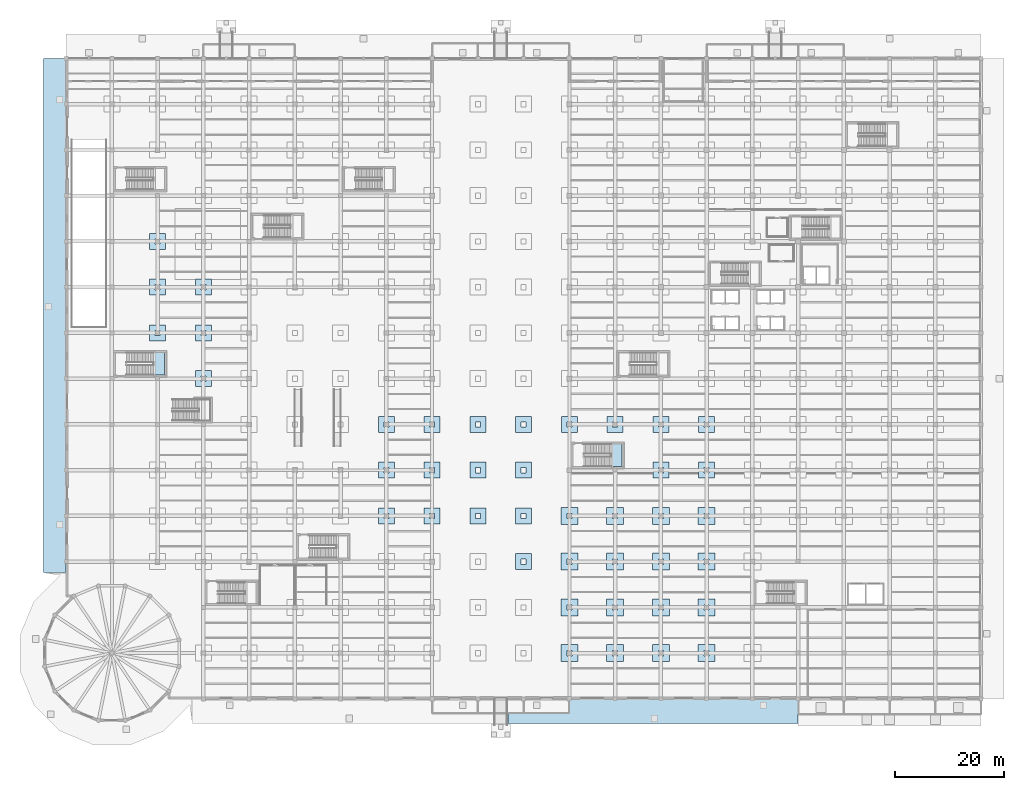
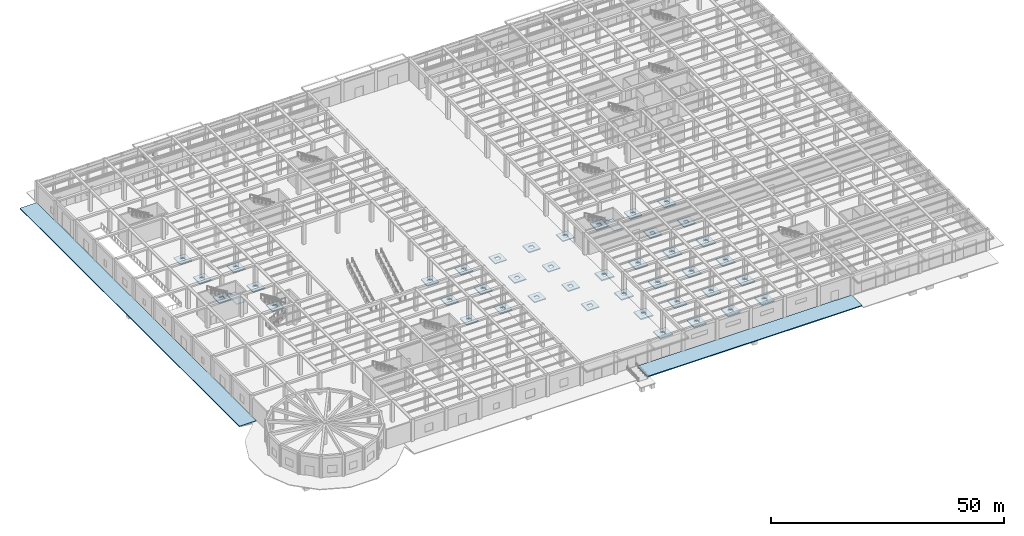
# One storey, part 17 of 43: 45 slabs, 2 elements without a shape of their own.
"""IFC4 building model written with IfcOpenShell, lengths in metres."""

from ifc_helpers import new_model, si_unit, direction, frame, origin, place, context, subcontext, project, spatial, polyline, outline, extrude, material, layer, layer_set, type_object, element, aggregate, save


model = new_model("IFC4")

# Units and contexts
model_context = context("Model", 3, precision=1e-05, world=origin(), true_north=direction((0.0, 1.0)))
body_context = subcontext(model_context, "Body", "Model", "MODEL_VIEW")
ifc_project = project(units=[si_unit("LENGTHUNIT", "METRE"), si_unit("AREAUNIT", "SQUARE_METRE"), si_unit("VOLUMEUNIT", "CUBIC_METRE"), si_unit("PLANEANGLEUNIT", "RADIAN"), si_unit("MASSUNIT", "GRAM", prefix="KILO")], contexts=[model_context])

# Site, building, storey
site_placement = place(None, origin())
site = spatial("IfcSite", under=ifc_project, at=site_placement, CompositionType="ELEMENT")
building_placement = place(site_placement, origin())
building = spatial("IfcBuilding", under=site, at=building_placement, Name="Almacenes y Pasaje Nevantli", CompositionType="ELEMENT")
storey_placement = place(building_placement, origin())
storey = spatial("IfcBuildingStorey", under=building, at=storey_placement, Name="L01", CompositionType="ELEMENT", Elevation=0.0)

# Slabs
ifc_material_1 = material(Name="Concrete C35/45", Category="concrete")
ifc_layer_1 = layer(ifc_material_1, 0.25)
ifc_layer_set_1 = layer_set([ifc_layer_1], Name="Concrete C35/45")
slab_type_1 = type_object("IfcSlabType", Name="SLB-DP-250", PredefinedType="USERDEFINED", material=ifc_layer_set_1)
slab_1_placement = place(storey_placement, frame((0.0, 0.0, -0.570068359375)))
element("IfcSlab", 1, at=slab_1_placement, inside=storey, type_object=slab_type_1, Name="L01 Punching-Shear Drop Panel DP-02 #205", ObjectType="DROP PANEL", PredefinedType="USERDEFINED", context=body_context, shape_type="SweptSolid", body=[
    extrude(outline(polyline([(15.35009765625, 65.75), (18.25, 65.75), (18.25, 68.64990234375), (15.35009765625, 68.64990234375), (15.35009765625, 65.75)]), holes=[polyline([(16.320068359375, 66.719970703125), (17.280029296875, 66.719970703125), (17.280029296875, 67.679931640625), (16.320068359375, 67.679931640625), (16.320068359375, 66.719970703125)])]), origin(), (0.0, 0.0, 1.0), 0.25),
])
slab_2_placement = place(storey_placement, frame((0.0, 0.0, -0.570068359375)))
element("IfcSlab", 2, at=slab_2_placement, inside=storey, type_object=slab_type_1, Name="L01 Punching-Shear Drop Panel DP-02 #206", ObjectType="DROP PANEL", PredefinedType="USERDEFINED", context=body_context, shape_type="SweptSolid", body=[
    extrude(outline(polyline([(15.35009765625, 74.14990234375), (18.25, 74.14990234375), (18.25, 77.050048828125), (15.35009765625, 77.050048828125), (15.35009765625, 74.14990234375)]), holes=[polyline([(16.320068359375, 75.1201171875), (17.280029296875, 75.1201171875), (17.280029296875, 76.080078125), (16.320068359375, 76.080078125), (16.320068359375, 75.1201171875)])]), origin(), (0.0, 0.0, 1.0), 0.25),
])
slab_3_placement = place(storey_placement, frame((0.0, 0.0, -0.570068359375)))
element("IfcSlab", 3, at=slab_3_placement, inside=storey, type_object=slab_type_1, Name="L01 Punching-Shear Drop Panel DP-02 #207", ObjectType="DROP PANEL", PredefinedType="USERDEFINED", context=body_context, shape_type="SweptSolid", body=[
    extrude(outline(polyline([(15.35009765625, 82.550048828125), (18.25, 82.550048828125), (18.25, 85.449951171875), (15.35009765625, 85.449951171875), (15.35009765625, 82.550048828125)]), holes=[polyline([(16.320068359375, 83.52001953125), (17.280029296875, 83.52001953125), (17.280029296875, 84.47998046875), (16.320068359375, 84.47998046875), (16.320068359375, 83.52001953125)])]), origin(), (0.0, 0.0, 1.0), 0.25),
])
slab_4_placement = place(storey_placement, frame((0.0, 0.0, -0.570068359375)))
element("IfcSlab", 4, at=slab_4_placement, inside=storey, type_object=slab_type_1, Name="L01 Punching-Shear Drop Panel DP-02 #214", ObjectType="DROP PANEL", PredefinedType="USERDEFINED", context=body_context, shape_type="SweptSolid", body=[
    extrude(outline(polyline([(23.75, 57.35009765625), (26.64990234375, 57.35009765625), (26.64990234375, 60.25), (23.75, 60.25), (23.75, 57.35009765625)]), holes=[polyline([(24.719970703125, 58.320068359375), (25.679931640625, 58.320068359375), (25.679931640625, 59.280029296875), (24.719970703125, 59.280029296875), (24.719970703125, 58.320068359375)])]), origin(), (0.0, 0.0, 1.0), 0.25),
])
slab_5_placement = place(storey_placement, frame((0.0, 0.0, -0.570068359375)))
element("IfcSlab", 5, at=slab_5_placement, inside=storey, type_object=slab_type_1, Name="L01 Punching-Shear Drop Panel DP-02 #215", ObjectType="DROP PANEL", PredefinedType="USERDEFINED", context=body_context, shape_type="SweptSolid", body=[
    extrude(outline(polyline([(23.75, 65.75), (26.64990234375, 65.75), (26.64990234375, 68.64990234375), (23.75, 68.64990234375), (23.75, 65.75)]), holes=[polyline([(24.719970703125, 66.719970703125), (25.679931640625, 66.719970703125), (25.679931640625, 67.679931640625), (24.719970703125, 67.679931640625), (24.719970703125, 66.719970703125)])]), origin(), (0.0, 0.0, 1.0), 0.25),
])
slab_6_placement = place(storey_placement, frame((0.0, 0.0, -0.570068359375)))
element("IfcSlab", 6, at=slab_6_placement, inside=storey, type_object=slab_type_1, Name="L01 Punching-Shear Drop Panel DP-02 #216", ObjectType="DROP PANEL", PredefinedType="USERDEFINED", context=body_context, shape_type="SweptSolid", body=[
    extrude(outline(polyline([(23.75, 74.14990234375), (26.64990234375, 74.14990234375), (26.64990234375, 77.050048828125), (23.75, 77.050048828125), (23.75, 74.14990234375)]), holes=[polyline([(24.719970703125, 75.1201171875), (25.679931640625, 75.1201171875), (25.679931640625, 76.080078125), (24.719970703125, 76.080078125), (24.719970703125, 75.1201171875)])]), origin(), (0.0, 0.0, 1.0), 0.25),
])
slab_7_placement = place(storey_placement, frame((0.0, 0.0, -0.570068359375)))
element("IfcSlab", 7, at=slab_7_placement, inside=storey, type_object=slab_type_1, Name="L01 Punching-Shear Drop Panel DP-02 #257", ObjectType="DROP PANEL", PredefinedType="USERDEFINED", context=body_context, shape_type="SweptSolid", body=[
    extrude(outline(polyline([(57.35009765625, 32.14990234375), (60.25, 32.14990234375), (60.25, 35.050048828125), (57.35009765625, 35.050048828125), (57.35009765625, 32.14990234375)]), holes=[polyline([(58.320068359375, 33.1201171875), (59.280029296875, 33.1201171875), (59.280029296875, 34.080078125), (58.320068359375, 34.080078125), (58.320068359375, 33.1201171875)])]), origin(), (0.0, 0.0, 1.0), 0.25),
])
slab_8_placement = place(storey_placement, frame((0.0, 0.0, -0.570068359375)))
element("IfcSlab", 8, at=slab_8_placement, inside=storey, type_object=slab_type_1, Name="L01 Punching-Shear Drop Panel DP-02 #258", ObjectType="DROP PANEL", PredefinedType="USERDEFINED", context=body_context, shape_type="SweptSolid", body=[
    extrude(outline(polyline([(57.35009765625, 40.550048828125), (60.25, 40.550048828125), (60.25, 43.449951171875), (57.35009765625, 43.449951171875), (57.35009765625, 40.550048828125)]), holes=[polyline([(58.320068359375, 41.52001953125), (59.280029296875, 41.52001953125), (59.280029296875, 42.47998046875), (58.320068359375, 42.47998046875), (58.320068359375, 41.52001953125)])]), origin(), (0.0, 0.0, 1.0), 0.25),
])
slab_9_placement = place(storey_placement, frame((0.0, 0.0, -0.570068359375)))
element("IfcSlab", 9, at=slab_9_placement, inside=storey, type_object=slab_type_1, Name="L01 Punching-Shear Drop Panel DP-02 #259", ObjectType="DROP PANEL", PredefinedType="USERDEFINED", context=body_context, shape_type="SweptSolid", body=[
    extrude(outline(polyline([(57.35009765625, 48.949951171875), (60.25, 48.949951171875), (60.25, 51.85009765625), (57.35009765625, 51.85009765625), (57.35009765625, 48.949951171875)]), holes=[polyline([(58.320068359375, 49.919921875), (59.280029296875, 49.919921875), (59.280029296875, 50.8798828125), (58.320068359375, 50.8798828125), (58.320068359375, 49.919921875)])]), origin(), (0.0, 0.0, 1.0), 0.25),
])
slab_10_placement = place(storey_placement, frame((0.0, 0.0, -0.570068359375)))
element("IfcSlab", 10, at=slab_10_placement, inside=storey, type_object=slab_type_1, Name="L01 Punching-Shear Drop Panel DP-02 #269", ObjectType="DROP PANEL", PredefinedType="USERDEFINED", context=body_context, shape_type="SweptSolid", body=[
    extrude(outline(polyline([(65.75, 32.14990234375), (68.64990234375, 32.14990234375), (68.64990234375, 35.050048828125), (65.75, 35.050048828125), (65.75, 32.14990234375)]), holes=[polyline([(66.719970703125, 33.1201171875), (67.679931640625, 33.1201171875), (67.679931640625, 34.080078125), (66.719970703125, 34.080078125), (66.719970703125, 33.1201171875)])]), origin(), (0.0, 0.0, 1.0), 0.25),
])
slab_11_placement = place(storey_placement, frame((0.0, 0.0, -0.570068359375)))
element("IfcSlab", 11, at=slab_11_placement, inside=storey, type_object=slab_type_1, Name="L01 Punching-Shear Drop Panel DP-02 #270", ObjectType="DROP PANEL", PredefinedType="USERDEFINED", context=body_context, shape_type="SweptSolid", body=[
    extrude(outline(polyline([(65.75, 40.550048828125), (68.64990234375, 40.550048828125), (68.64990234375, 43.449951171875), (65.75, 43.449951171875), (65.75, 40.550048828125)]), holes=[polyline([(66.719970703125, 41.52001953125), (67.679931640625, 41.52001953125), (67.679931640625, 42.47998046875), (66.719970703125, 42.47998046875), (66.719970703125, 41.52001953125)])]), origin(), (0.0, 0.0, 1.0), 0.25),
])
slab_12_placement = place(storey_placement, frame((0.0, 0.0, -0.570068359375)))
element("IfcSlab", 12, at=slab_12_placement, inside=storey, type_object=slab_type_1, Name="L01 Punching-Shear Drop Panel DP-02 #271", ObjectType="DROP PANEL", PredefinedType="USERDEFINED", context=body_context, shape_type="SweptSolid", body=[
    extrude(outline(polyline([(65.75, 48.949951171875), (68.64990234375, 48.949951171875), (68.64990234375, 51.85009765625), (65.75, 51.85009765625), (65.75, 48.949951171875)]), holes=[polyline([(66.719970703125, 49.919921875), (67.679931640625, 49.919921875), (67.679931640625, 50.8798828125), (66.719970703125, 50.8798828125), (66.719970703125, 49.919921875)])]), origin(), (0.0, 0.0, 1.0), 0.25),
])
slab_13_placement = place(storey_placement, frame((0.0, 0.0, -0.570068359375)))
element("IfcSlab", 13, at=slab_13_placement, inside=storey, type_object=slab_type_1, Name="L01 Punching-Shear Drop Panel DP-02 #282", ObjectType="DROP PANEL", PredefinedType="USERDEFINED", context=body_context, shape_type="SweptSolid", body=[
    extrude(outline(polyline([(74.14990234375, 32.14990234375), (77.050048828125, 32.14990234375), (77.050048828125, 35.050048828125), (74.14990234375, 35.050048828125), (74.14990234375, 32.14990234375)]), holes=[polyline([(75.1201171875, 33.1201171875), (76.080078125, 33.1201171875), (76.080078125, 34.080078125), (75.1201171875, 34.080078125), (75.1201171875, 33.1201171875)])]), origin(), (0.0, 0.0, 1.0), 0.25),
])
slab_14_placement = place(storey_placement, frame((0.0, 0.0, -0.570068359375)))
element("IfcSlab", 14, at=slab_14_placement, inside=storey, type_object=slab_type_1, Name="L01 Punching-Shear Drop Panel DP-02 #283", ObjectType="DROP PANEL", PredefinedType="USERDEFINED", context=body_context, shape_type="SweptSolid", body=[
    extrude(outline(polyline([(74.14990234375, 40.550048828125), (77.050048828125, 40.550048828125), (77.050048828125, 43.449951171875), (74.14990234375, 43.449951171875), (74.14990234375, 40.550048828125)]), holes=[polyline([(75.1201171875, 41.52001953125), (76.080078125, 41.52001953125), (76.080078125, 42.47998046875), (75.1201171875, 42.47998046875), (75.1201171875, 41.52001953125)])]), origin(), (0.0, 0.0, 1.0), 0.25),
])
slab_15_placement = place(storey_placement, frame((0.0, 0.0, -0.570068359375)))
element("IfcSlab", 15, at=slab_15_placement, inside=storey, type_object=slab_type_1, Name="L01 Punching-Shear Drop Panel DP-02 #284", ObjectType="DROP PANEL", PredefinedType="USERDEFINED", context=body_context, shape_type="SweptSolid", body=[
    extrude(outline(polyline([(74.14990234375, 48.949951171875), (77.050048828125, 48.949951171875), (77.050048828125, 51.85009765625), (74.14990234375, 51.85009765625), (74.14990234375, 48.949951171875)]), holes=[polyline([(75.1201171875, 49.919921875), (76.080078125, 49.919921875), (76.080078125, 50.8798828125), (75.1201171875, 50.8798828125), (75.1201171875, 49.919921875)])]), origin(), (0.0, 0.0, 1.0), 0.25),
])
slab_16_placement = place(storey_placement, frame((0.0, 0.0, -0.570068359375)))
element("IfcSlab", 16, at=slab_16_placement, inside=storey, type_object=slab_type_1, Name="L01 Punching-Shear Drop Panel DP-02 #294", ObjectType="DROP PANEL", PredefinedType="USERDEFINED", context=body_context, shape_type="SweptSolid", body=[
    extrude(outline(polyline([(82.550048828125, 23.75), (85.449951171875, 23.75), (85.449951171875, 26.64990234375), (82.550048828125, 26.64990234375), (82.550048828125, 23.75)]), holes=[polyline([(83.52001953125, 24.719970703125), (84.47998046875, 24.719970703125), (84.47998046875, 25.679931640625), (83.52001953125, 25.679931640625), (83.52001953125, 24.719970703125)])]), origin(), (0.0, 0.0, 1.0), 0.25),
])
slab_17_placement = place(storey_placement, frame((0.0, 0.0, -0.570068359375)))
element("IfcSlab", 17, at=slab_17_placement, inside=storey, type_object=slab_type_1, Name="L01 Punching-Shear Drop Panel DP-02 #295", ObjectType="DROP PANEL", PredefinedType="USERDEFINED", context=body_context, shape_type="SweptSolid", body=[
    extrude(outline(polyline([(82.550048828125, 32.14990234375), (85.449951171875, 32.14990234375), (85.449951171875, 35.050048828125), (82.550048828125, 35.050048828125), (82.550048828125, 32.14990234375)]), holes=[polyline([(83.52001953125, 33.1201171875), (84.47998046875, 33.1201171875), (84.47998046875, 34.080078125), (83.52001953125, 34.080078125), (83.52001953125, 33.1201171875)])]), origin(), (0.0, 0.0, 1.0), 0.25),
])
slab_18_placement = place(storey_placement, frame((0.0, 0.0, -0.570068359375)))
element("IfcSlab", 18, at=slab_18_placement, inside=storey, type_object=slab_type_1, Name="L01 Punching-Shear Drop Panel DP-02 #296", ObjectType="DROP PANEL", PredefinedType="USERDEFINED", context=body_context, shape_type="SweptSolid", body=[
    extrude(outline(polyline([(82.550048828125, 40.550048828125), (85.449951171875, 40.550048828125), (85.449951171875, 43.449951171875), (82.550048828125, 43.449951171875), (82.550048828125, 40.550048828125)]), holes=[polyline([(83.52001953125, 41.52001953125), (84.47998046875, 41.52001953125), (84.47998046875, 42.47998046875), (83.52001953125, 42.47998046875), (83.52001953125, 41.52001953125)])]), origin(), (0.0, 0.0, 1.0), 0.25),
])
slab_19_placement = place(storey_placement, frame((0.0, 0.0, -0.570068359375)))
element("IfcSlab", 19, at=slab_19_placement, inside=storey, type_object=slab_type_1, Name="L01 Punching-Shear Drop Panel DP-02 #297", ObjectType="DROP PANEL", PredefinedType="USERDEFINED", context=body_context, shape_type="SweptSolid", body=[
    extrude(outline(polyline([(82.550048828125, 48.949951171875), (85.449951171875, 48.949951171875), (85.449951171875, 51.85009765625), (82.550048828125, 51.85009765625), (82.550048828125, 48.949951171875)]), holes=[polyline([(83.52001953125, 49.919921875), (84.47998046875, 49.919921875), (84.47998046875, 50.8798828125), (83.52001953125, 50.8798828125), (83.52001953125, 49.919921875)])]), origin(), (0.0, 0.0, 1.0), 0.25),
])
slab_20_placement = place(storey_placement, frame((0.0, 0.0, -0.570068359375)))
element("IfcSlab", 20, at=slab_20_placement, inside=storey, type_object=slab_type_1, Name="L01 Punching-Shear Drop Panel DP-02 #309", ObjectType="DROP PANEL", PredefinedType="USERDEFINED", context=body_context, shape_type="SweptSolid", body=[
    extrude(outline(polyline([(90.949951171875, 48.949951171875), (93.85009765625, 48.949951171875), (93.85009765625, 51.85009765625), (90.949951171875, 51.85009765625), (90.949951171875, 48.949951171875)]), holes=[polyline([(91.919921875, 49.919921875), (92.8798828125, 49.919921875), (92.8798828125, 50.8798828125), (91.919921875, 50.8798828125), (91.919921875, 49.919921875)])]), origin(), (0.0, 0.0, 1.0), 0.25),
])
slab_21_placement = place(storey_placement, frame((0.0, 0.0, -0.570068359375)))
element("IfcSlab", 21, at=slab_21_placement, inside=storey, type_object=slab_type_1, Name="L01 Punching-Shear Drop Panel DP-02 #321", ObjectType="DROP PANEL", PredefinedType="USERDEFINED", context=body_context, shape_type="SweptSolid", body=[
    extrude(outline(polyline([(99.35009765625, 48.949951171875), (102.25, 48.949951171875), (102.25, 51.85009765625), (99.35009765625, 51.85009765625), (99.35009765625, 48.949951171875)]), holes=[polyline([(100.320068359375, 49.919921875), (101.280029296875, 49.919921875), (101.280029296875, 50.8798828125), (100.320068359375, 50.8798828125), (100.320068359375, 49.919921875)])]), origin(), (0.0, 0.0, 1.0), 0.25),
])
slab_22_placement = place(storey_placement, frame((0.0, 0.0, -0.570068359375)))
element("IfcSlab", 22, at=slab_22_placement, inside=storey, type_object=slab_type_1, Name="L01 Punching-Shear Drop Panel DP-02 #332", ObjectType="DROP PANEL", PredefinedType="USERDEFINED", context=body_context, shape_type="SweptSolid", body=[
    extrude(outline(polyline([(107.75, 40.550048828125), (110.64990234375, 40.550048828125), (110.64990234375, 43.449951171875), (107.75, 43.449951171875), (107.75, 40.550048828125)]), holes=[polyline([(108.719970703125, 41.52001953125), (109.679931640625, 41.52001953125), (109.679931640625, 42.47998046875), (108.719970703125, 42.47998046875), (108.719970703125, 41.52001953125)])]), origin(), (0.0, 0.0, 1.0), 0.25),
])
slab_23_placement = place(storey_placement, frame((0.0, 0.0, -0.570068359375)))
element("IfcSlab", 23, at=slab_23_placement, inside=storey, type_object=slab_type_1, Name="L01 Punching-Shear Drop Panel DP-02 #333", ObjectType="DROP PANEL", PredefinedType="USERDEFINED", context=body_context, shape_type="SweptSolid", body=[
    extrude(outline(polyline([(107.75, 48.949951171875), (110.64990234375, 48.949951171875), (110.64990234375, 51.85009765625), (107.75, 51.85009765625), (107.75, 48.949951171875)]), holes=[polyline([(108.719970703125, 49.919921875), (109.679931640625, 49.919921875), (109.679931640625, 50.8798828125), (108.719970703125, 50.8798828125), (108.719970703125, 49.919921875)])]), origin(), (0.0, 0.0, 1.0), 0.25),
])
slab_24_placement = place(storey_placement, frame((0.0, 0.0, -0.570068359375)))
element("IfcSlab", 24, at=slab_24_placement, inside=storey, type_object=slab_type_1, Name="L01 Punching-Shear Drop Panel DP-02 #344", ObjectType="DROP PANEL", PredefinedType="USERDEFINED", context=body_context, shape_type="SweptSolid", body=[
    extrude(outline(polyline([(116.14990234375, 40.550048828125), (119.050048828125, 40.550048828125), (119.050048828125, 43.449951171875), (116.14990234375, 43.449951171875), (116.14990234375, 40.550048828125)]), holes=[polyline([(117.1201171875, 41.52001953125), (118.080078125, 41.52001953125), (118.080078125, 42.47998046875), (117.1201171875, 42.47998046875), (117.1201171875, 41.52001953125)])]), origin(), (0.0, 0.0, 1.0), 0.25),
])
slab_25_placement = place(storey_placement, frame((0.0, 0.0, -0.570068359375)))
element("IfcSlab", 25, at=slab_25_placement, inside=storey, type_object=slab_type_1, Name="L01 Punching-Shear Drop Panel DP-02 #345", ObjectType="DROP PANEL", PredefinedType="USERDEFINED", context=body_context, shape_type="SweptSolid", body=[
    extrude(outline(polyline([(116.14990234375, 48.949951171875), (119.050048828125, 48.949951171875), (119.050048828125, 51.85009765625), (116.14990234375, 51.85009765625), (116.14990234375, 48.949951171875)]), holes=[polyline([(117.1201171875, 49.919921875), (118.080078125, 49.919921875), (118.080078125, 50.8798828125), (117.1201171875, 50.8798828125), (117.1201171875, 49.919921875)])]), origin(), (0.0, 0.0, 1.0), 0.25),
])
ifc_material_2 = material(Name="Concrete C35/45", Category="concrete")
ifc_layer_2 = layer(ifc_material_2, 0.31005859375)
ifc_layer_set_2 = layer_set([ifc_layer_2], Name="Concrete C35/45")
slab_type_2 = type_object("IfcSlabType", Name="SLB-DP-310", PredefinedType="USERDEFINED", material=ifc_layer_set_2)
slab_26_placement = place(storey_placement, frame((0.0, 0.0, -0.6298828125)))
element("IfcSlab", 26, at=slab_26_placement, inside=storey, type_object=slab_type_2, Name="L01 Punching-Shear Drop Panel DP-03 #305", ObjectType="DROP PANEL", PredefinedType="USERDEFINED", context=body_context, shape_type="SweptSolid", body=[
    extrude(outline(polyline([(90.85009765625, 6.85009765625), (93.949951171875, 6.85009765625), (93.949951171875, 9.949951171875), (90.85009765625, 9.949951171875), (90.85009765625, 6.85009765625)]), holes=[polyline([(91.919921875, 7.919921875), (92.8798828125, 7.919921875), (92.8798828125, 8.8798828125), (91.919921875, 8.8798828125), (91.919921875, 7.919921875)])]), origin(), (0.0, 0.0, 1.0), 0.309814453125),
])
slab_27_placement = place(storey_placement, frame((0.0, 0.0, -0.6298828125)))
element("IfcSlab", 27, at=slab_27_placement, inside=storey, type_object=slab_type_2, Name="L01 Punching-Shear Drop Panel DP-03 #306", ObjectType="DROP PANEL", PredefinedType="USERDEFINED", context=body_context, shape_type="SweptSolid", body=[
    extrude(outline(polyline([(90.85009765625, 15.25), (93.949951171875, 15.25), (93.949951171875, 18.35009765625), (90.85009765625, 18.35009765625), (90.85009765625, 15.25)]), holes=[polyline([(91.919921875, 16.320068359375), (92.8798828125, 16.320068359375), (92.8798828125, 17.280029296875), (91.919921875, 17.280029296875), (91.919921875, 16.320068359375)])]), origin(), (0.0, 0.0, 1.0), 0.309814453125),
])
slab_28_placement = place(storey_placement, frame((0.0, 0.0, -0.6298828125)))
element("IfcSlab", 28, at=slab_28_placement, inside=storey, type_object=slab_type_2, Name="L01 Punching-Shear Drop Panel DP-03 #307", ObjectType="DROP PANEL", PredefinedType="USERDEFINED", context=body_context, shape_type="SweptSolid", body=[
    extrude(outline(polyline([(90.85009765625, 23.64990234375), (93.949951171875, 23.64990234375), (93.949951171875, 26.75), (90.85009765625, 26.75), (90.85009765625, 23.64990234375)]), holes=[polyline([(91.919921875, 24.719970703125), (92.8798828125, 24.719970703125), (92.8798828125, 25.679931640625), (91.919921875, 25.679931640625), (91.919921875, 24.719970703125)])]), origin(), (0.0, 0.0, 1.0), 0.309814453125),
])
slab_29_placement = place(storey_placement, frame((0.0, 0.0, -0.6298828125)))
element("IfcSlab", 29, at=slab_29_placement, inside=storey, type_object=slab_type_2, Name="L01 Punching-Shear Drop Panel DP-03 #308", ObjectType="DROP PANEL", PredefinedType="USERDEFINED", context=body_context, shape_type="SweptSolid", body=[
    extrude(outline(polyline([(90.85009765625, 32.050048828125), (93.949951171875, 32.050048828125), (93.949951171875, 35.14990234375), (90.85009765625, 35.14990234375), (90.85009765625, 32.050048828125)]), holes=[polyline([(91.919921875, 33.1201171875), (92.8798828125, 33.1201171875), (92.8798828125, 34.080078125), (91.919921875, 34.080078125), (91.919921875, 33.1201171875)])]), origin(), (0.0, 0.0, 1.0), 0.309814453125),
])
slab_30_placement = place(storey_placement, frame((0.0, 0.0, -0.6298828125)))
element("IfcSlab", 30, at=slab_30_placement, inside=storey, type_object=slab_type_2, Name="L01 Punching-Shear Drop Panel DP-03 #317", ObjectType="DROP PANEL", PredefinedType="USERDEFINED", context=body_context, shape_type="SweptSolid", body=[
    extrude(outline(polyline([(99.25, 6.85009765625), (102.35009765625, 6.85009765625), (102.35009765625, 9.949951171875), (99.25, 9.949951171875), (99.25, 6.85009765625)]), holes=[polyline([(100.320068359375, 7.919921875), (101.280029296875, 7.919921875), (101.280029296875, 8.8798828125), (100.320068359375, 8.8798828125), (100.320068359375, 7.919921875)])]), origin(), (0.0, 0.0, 1.0), 0.309814453125),
])
slab_31_placement = place(storey_placement, frame((0.0, 0.0, -0.6298828125)))
element("IfcSlab", 31, at=slab_31_placement, inside=storey, type_object=slab_type_2, Name="L01 Punching-Shear Drop Panel DP-03 #318", ObjectType="DROP PANEL", PredefinedType="USERDEFINED", context=body_context, shape_type="SweptSolid", body=[
    extrude(outline(polyline([(99.25, 15.25), (102.35009765625, 15.25), (102.35009765625, 18.35009765625), (99.25, 18.35009765625), (99.25, 15.25)]), holes=[polyline([(100.320068359375, 16.320068359375), (101.280029296875, 16.320068359375), (101.280029296875, 17.280029296875), (100.320068359375, 17.280029296875), (100.320068359375, 16.320068359375)])]), origin(), (0.0, 0.0, 1.0), 0.309814453125),
])
slab_32_placement = place(storey_placement, frame((0.0, 0.0, -0.6298828125)))
element("IfcSlab", 32, at=slab_32_placement, inside=storey, type_object=slab_type_2, Name="L01 Punching-Shear Drop Panel DP-03 #319", ObjectType="DROP PANEL", PredefinedType="USERDEFINED", context=body_context, shape_type="SweptSolid", body=[
    extrude(outline(polyline([(99.25, 23.64990234375), (102.35009765625, 23.64990234375), (102.35009765625, 26.75), (99.25, 26.75), (99.25, 23.64990234375)]), holes=[polyline([(100.320068359375, 24.719970703125), (101.280029296875, 24.719970703125), (101.280029296875, 25.679931640625), (100.320068359375, 25.679931640625), (100.320068359375, 24.719970703125)])]), origin(), (0.0, 0.0, 1.0), 0.309814453125),
])
slab_33_placement = place(storey_placement, frame((0.0, 0.0, -0.6298828125)))
element("IfcSlab", 33, at=slab_33_placement, inside=storey, type_object=slab_type_2, Name="L01 Punching-Shear Drop Panel DP-03 #320", ObjectType="DROP PANEL", PredefinedType="USERDEFINED", context=body_context, shape_type="SweptSolid", body=[
    extrude(outline(polyline([(99.25, 32.050048828125), (102.35009765625, 32.050048828125), (102.35009765625, 35.14990234375), (99.25, 35.14990234375), (99.25, 32.050048828125)]), holes=[polyline([(100.320068359375, 33.1201171875), (101.280029296875, 33.1201171875), (101.280029296875, 34.080078125), (100.320068359375, 34.080078125), (100.320068359375, 33.1201171875)])]), origin(), (0.0, 0.0, 1.0), 0.309814453125),
])
slab_34_placement = place(storey_placement, frame((0.0, 0.0, -0.6298828125)))
element("IfcSlab", 34, at=slab_34_placement, inside=storey, type_object=slab_type_2, Name="L01 Punching-Shear Drop Panel DP-03 #328", ObjectType="DROP PANEL", PredefinedType="USERDEFINED", context=body_context, shape_type="SweptSolid", body=[
    extrude(outline(polyline([(107.64990234375, 6.85009765625), (110.75, 6.85009765625), (110.75, 9.949951171875), (107.64990234375, 9.949951171875), (107.64990234375, 6.85009765625)]), holes=[polyline([(108.719970703125, 7.919921875), (109.679931640625, 7.919921875), (109.679931640625, 8.8798828125), (108.719970703125, 8.8798828125), (108.719970703125, 7.919921875)])]), origin(), (0.0, 0.0, 1.0), 0.309814453125),
])
slab_35_placement = place(storey_placement, frame((0.0, 0.0, -0.6298828125)))
element("IfcSlab", 35, at=slab_35_placement, inside=storey, type_object=slab_type_2, Name="L01 Punching-Shear Drop Panel DP-03 #329", ObjectType="DROP PANEL", PredefinedType="USERDEFINED", context=body_context, shape_type="SweptSolid", body=[
    extrude(outline(polyline([(107.64990234375, 15.25), (110.75, 15.25), (110.75, 18.35009765625), (107.64990234375, 18.35009765625), (107.64990234375, 15.25)]), holes=[polyline([(108.719970703125, 16.320068359375), (109.679931640625, 16.320068359375), (109.679931640625, 17.280029296875), (108.719970703125, 17.280029296875), (108.719970703125, 16.320068359375)])]), origin(), (0.0, 0.0, 1.0), 0.309814453125),
])
slab_36_placement = place(storey_placement, frame((0.0, 0.0, -0.6298828125)))
element("IfcSlab", 36, at=slab_36_placement, inside=storey, type_object=slab_type_2, Name="L01 Punching-Shear Drop Panel DP-03 #330", ObjectType="DROP PANEL", PredefinedType="USERDEFINED", context=body_context, shape_type="SweptSolid", body=[
    extrude(outline(polyline([(107.64990234375, 23.64990234375), (110.75, 23.64990234375), (110.75, 26.75), (107.64990234375, 26.75), (107.64990234375, 23.64990234375)]), holes=[polyline([(108.719970703125, 24.719970703125), (109.679931640625, 24.719970703125), (109.679931640625, 25.679931640625), (108.719970703125, 25.679931640625), (108.719970703125, 24.719970703125)])]), origin(), (0.0, 0.0, 1.0), 0.309814453125),
])
slab_37_placement = place(storey_placement, frame((0.0, 0.0, -0.6298828125)))
element("IfcSlab", 37, at=slab_37_placement, inside=storey, type_object=slab_type_2, Name="L01 Punching-Shear Drop Panel DP-03 #331", ObjectType="DROP PANEL", PredefinedType="USERDEFINED", context=body_context, shape_type="SweptSolid", body=[
    extrude(outline(polyline([(107.64990234375, 32.050048828125), (110.75, 32.050048828125), (110.75, 35.14990234375), (107.64990234375, 35.14990234375), (107.64990234375, 32.050048828125)]), holes=[polyline([(108.719970703125, 33.1201171875), (109.679931640625, 33.1201171875), (109.679931640625, 34.080078125), (108.719970703125, 34.080078125), (108.719970703125, 33.1201171875)])]), origin(), (0.0, 0.0, 1.0), 0.309814453125),
])
slab_38_placement = place(storey_placement, frame((0.0, 0.0, -0.6298828125)))
element("IfcSlab", 38, at=slab_38_placement, inside=storey, type_object=slab_type_2, Name="L01 Punching-Shear Drop Panel DP-03 #340", ObjectType="DROP PANEL", PredefinedType="USERDEFINED", context=body_context, shape_type="SweptSolid", body=[
    extrude(outline(polyline([(116.050048828125, 6.85009765625), (119.14990234375, 6.85009765625), (119.14990234375, 9.949951171875), (116.050048828125, 9.949951171875), (116.050048828125, 6.85009765625)]), holes=[polyline([(117.1201171875, 7.919921875), (118.080078125, 7.919921875), (118.080078125, 8.8798828125), (117.1201171875, 8.8798828125), (117.1201171875, 7.919921875)])]), origin(), (0.0, 0.0, 1.0), 0.309814453125),
])
slab_39_placement = place(storey_placement, frame((0.0, 0.0, -0.6298828125)))
element("IfcSlab", 39, at=slab_39_placement, inside=storey, type_object=slab_type_2, Name="L01 Punching-Shear Drop Panel DP-03 #341", ObjectType="DROP PANEL", PredefinedType="USERDEFINED", context=body_context, shape_type="SweptSolid", body=[
    extrude(outline(polyline([(116.050048828125, 15.25), (119.14990234375, 15.25), (119.14990234375, 18.35009765625), (116.050048828125, 18.35009765625), (116.050048828125, 15.25)]), holes=[polyline([(117.1201171875, 16.320068359375), (118.080078125, 16.320068359375), (118.080078125, 17.280029296875), (117.1201171875, 17.280029296875), (117.1201171875, 16.320068359375)])]), origin(), (0.0, 0.0, 1.0), 0.309814453125),
])
slab_40_placement = place(storey_placement, frame((0.0, 0.0, -0.6298828125)))
element("IfcSlab", 40, at=slab_40_placement, inside=storey, type_object=slab_type_2, Name="L01 Punching-Shear Drop Panel DP-03 #342", ObjectType="DROP PANEL", PredefinedType="USERDEFINED", context=body_context, shape_type="SweptSolid", body=[
    extrude(outline(polyline([(116.050048828125, 23.64990234375), (119.14990234375, 23.64990234375), (119.14990234375, 26.75), (116.050048828125, 26.75), (116.050048828125, 23.64990234375)]), holes=[polyline([(117.1201171875, 24.719970703125), (118.080078125, 24.719970703125), (118.080078125, 25.679931640625), (117.1201171875, 25.679931640625), (117.1201171875, 24.719970703125)])]), origin(), (0.0, 0.0, 1.0), 0.309814453125),
])
slab_41_placement = place(storey_placement, frame((0.0, 0.0, -0.6298828125)))
element("IfcSlab", 41, at=slab_41_placement, inside=storey, type_object=slab_type_2, Name="L01 Punching-Shear Drop Panel DP-03 #343", ObjectType="DROP PANEL", PredefinedType="USERDEFINED", context=body_context, shape_type="SweptSolid", body=[
    extrude(outline(polyline([(116.050048828125, 32.050048828125), (119.14990234375, 32.050048828125), (119.14990234375, 35.14990234375), (116.050048828125, 35.14990234375), (116.050048828125, 32.050048828125)]), holes=[polyline([(117.1201171875, 33.1201171875), (118.080078125, 33.1201171875), (118.080078125, 34.080078125), (117.1201171875, 34.080078125), (117.1201171875, 33.1201171875)])]), origin(), (0.0, 0.0, 1.0), 0.309814453125),
])

# Stair, slab
ifc_material_3 = material(Name="Concrete C35/45", Category="concrete")
stair_type = type_object("IfcStairType", Name="STR-CORE-1850", PredefinedType="HALF_TURN_STAIR", material=ifc_material_3)
stair_1_placement = place(storey_placement, origin())
stair_1 = element("IfcStair", 42, at=stair_1_placement, inside=storey, type_object=stair_type, Name="L01 Staircase ST-08", PredefinedType="HALF_TURN_STAIR")
ifc_material_4 = material(Name="Concrete C35/45", Category="concrete")
ifc_layer_3 = layer(ifc_material_4, 0.199951171875)
ifc_layer_set_3 = layer_set([ifc_layer_3], Name="Concrete C35/45")
slab_type_3 = type_object("IfcSlabType", Name="SLB-LAND-200", PredefinedType="LANDING", material=ifc_layer_set_3)
slab_42_placement = place(storey_placement, frame((0.0, 0.0, 2.800048828125)))
slab_42 = element("IfcSlab", 43, at=slab_42_placement, type_object=slab_type_3, Name="ST-08-L01 landing 1", PredefinedType="LANDING", context=body_context, shape_type="SweptSolid", body=[
    extrude(outline(polyline([(100.014892578125, 42.64990234375), (102.10009765625, 42.64990234375), (102.10009765625, 46.800048828125), (100.014892578125, 46.800048828125), (100.014892578125, 42.64990234375)])), origin(), (0.0, 0.0, 1.0), 0.199951171875),
])
aggregate(stair_1, [slab_42])

stair_2_placement = place(storey_placement, origin())
stair_2 = element("IfcStair", 44, at=stair_2_placement, inside=storey, type_object=stair_type, Name="L01 Staircase ST-12", PredefinedType="HALF_TURN_STAIR")
slab_43_placement = place(storey_placement, frame((0.0, 0.0, 2.800048828125)))
slab_43 = element("IfcSlab", 45, at=slab_43_placement, type_object=slab_type_3, Name="ST-12-L01 landing 1", PredefinedType="LANDING", context=body_context, shape_type="SweptSolid", body=[
    extrude(outline(polyline([(16.014892578125, 59.449951171875), (18.10009765625, 59.449951171875), (18.10009765625, 63.60009765625), (16.014892578125, 63.60009765625), (16.014892578125, 59.449951171875)])), origin(), (0.0, 0.0, 1.0), 0.199951171875),
])
aggregate(stair_2, [slab_43])

# Slabs
ifc_material_5 = material(Name="Toluca Basalt Stone Paving on Compacted Subbase", Category="masonry")
ifc_layer_4 = layer(ifc_material_5, 0.239990234375)
ifc_layer_set_4 = layer_set([ifc_layer_4], Name="Toluca Basalt Stone Paving on Compacted Subbase")
slab_type_4 = type_object("IfcSlabType", Name="SLB-PAVING-240", PredefinedType="USERDEFINED", material=ifc_layer_set_4)
slab_44_placement = place(storey_placement, frame((0.0, 0.0, -0.239990234375)))
element("IfcSlab", 46, at=slab_44_placement, inside=storey, type_object=slab_type_4, Name="South Arcade Forecourt Sidewalk Paving Zone 2", ObjectType="PAVING", PredefinedType="USERDEFINED", context=body_context, shape_type="SweptSolid", body=[
    extrude(outline(polyline([(81.14990234375, -4.5), (134.35009765625, -4.5), (134.35009765625, 0.0), (81.14990234375, 0.0), (81.14990234375, -4.5)])), origin(), (0.0, 0.0, 1.0), 0.239990234375),
])
slab_45_placement = place(storey_placement, frame((0.0, 0.0, -0.239990234375)))
element("IfcSlab", 47, at=slab_45_placement, inside=storey, type_object=slab_type_4, Name="West Avenue Sidewalk Paving", ObjectType="PAVING", PredefinedType="USERDEFINED", context=body_context, shape_type="SweptSolid", body=[
    extrude(outline(polyline([(-4.199951171875, 23.199951171875), (0.0, 23.199951171875), (0.0, 117.60009765625), (-4.199951171875, 117.60009765625), (-4.199951171875, 23.199951171875)])), origin(), (0.0, 0.0, 1.0), 0.239990234375),
])

save(model, "model.ifc")
